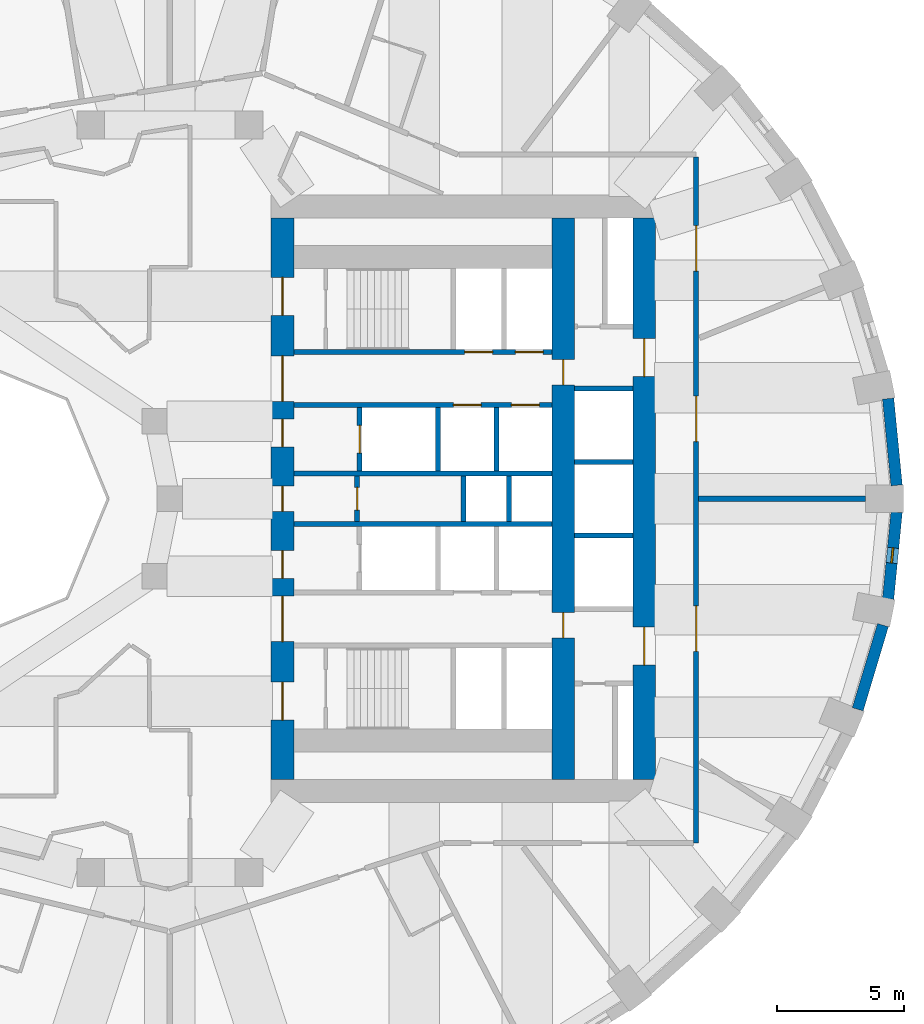
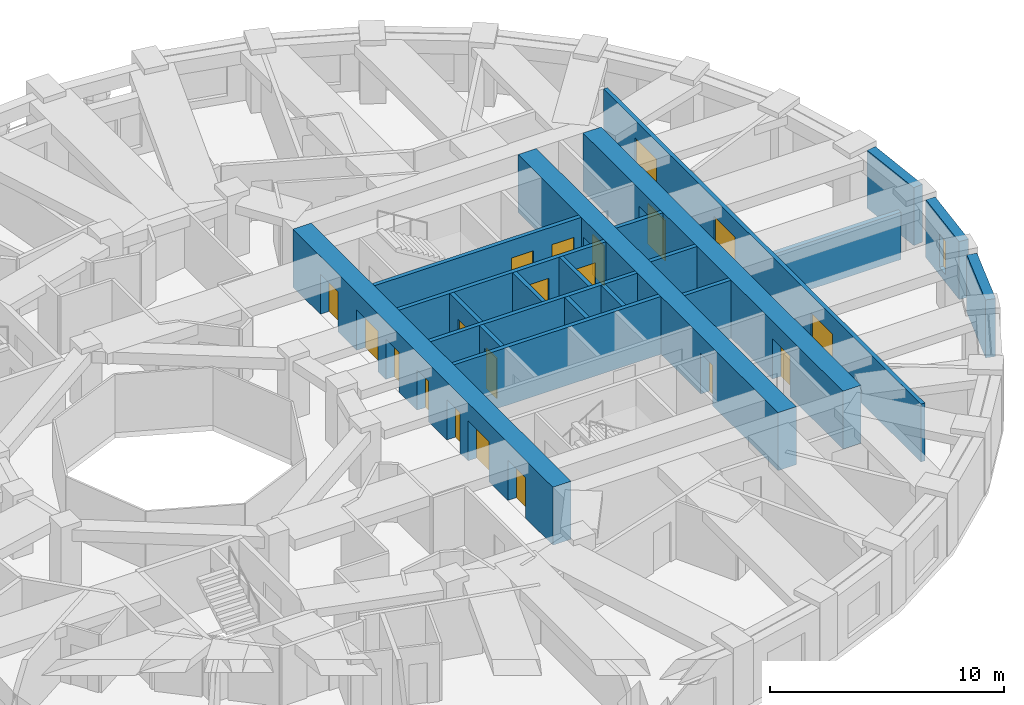
# One storey, part 6 of 13: 21 walls, 20 doors, 1 window, 21 openings.
"""IFC4 building model written with IfcOpenShell, lengths in metres."""

from ifc_helpers import new_model, si_unit, direction, frame, frame_2d, origin, place, context, subcontext, project, spatial, rectangle, extrude, material, layer, layer_set, type_object, element, fill, save


model = new_model("IFC4")

# Units and contexts
model_context = context("Model", 3, precision=1e-05, world=origin(), true_north=direction((0.0, 1.0)))
body_context = subcontext(model_context, "Body", "Model", "MODEL_VIEW")
ifc_project = project(units=[si_unit("LENGTHUNIT", "METRE"), si_unit("AREAUNIT", "SQUARE_METRE"), si_unit("VOLUMEUNIT", "CUBIC_METRE"), si_unit("PLANEANGLEUNIT", "RADIAN"), si_unit("MASSUNIT", "GRAM", prefix="KILO")], contexts=[model_context])

# Site, building, storey
site_placement = place(None, origin())
site = spatial("IfcSite", under=ifc_project, at=site_placement, CompositionType="ELEMENT")
building_placement = place(site_placement, origin())
building = spatial("IfcBuilding", under=site, at=building_placement, Name="Taillehof Tower", CompositionType="ELEMENT")
storey_placement = place(building_placement, frame((0.0, 0.0, 54.699951171875)))
storey = spatial("IfcBuildingStorey", under=building, at=storey_placement, Name="L14", CompositionType="ELEMENT", Elevation=54.699951171875)

# Walls
ifc_material_1 = material(Name="Brick masonry", Category="masonry")
ifc_layer_1 = layer(ifc_material_1, 0.449951171875)
ifc_layer_set_1 = layer_set([ifc_layer_1], Name="Brick infill wall 450")
wall_type_1 = type_object("IfcWallType", Name="Brick infill wall 450", PredefinedType="SOLIDWALL", material=ifc_layer_set_1)
wall_1_placement = place(storey_placement, frame((28.721923828125, 0.530029296875, 0.0), z_axis=(0.0, 0.0, 1.0), x_axis=(-0.097389581596, 0.995246336038, 0.0)))
element("IfcWall", 1, at=wall_1_placement, inside=storey, type_object=wall_type_1, Name="Brick wall L14 bay 1", PredefinedType="SOLIDWALL", context=body_context, shape_type="SweptSolid", body=[
    extrude(rectangle(XDim=3.44189453125, YDim=0.449951171875, at=frame_2d((1.720947265625, 0.0))), origin(), (0.0, 0.0, 1.0), 3.02001953125),
])
wall_2_placement = place(storey_placement, frame((27.184814453125, -8.322998046875, 0.0), z_axis=(0.0, 0.0, 1.0), x_axis=(0.287064133733, 0.957911364963, 0.0)))
element("IfcWall", 2, at=wall_2_placement, inside=storey, type_object=wall_type_1, Name="Brick wall L14 bay 35", PredefinedType="SOLIDWALL", context=body_context, shape_type="SweptSolid", body=[
    extrude(rectangle(XDim=3.473388671875, YDim=0.449951171875, at=frame_2d((1.73681640625, 0.0))), origin(), (0.0, 0.0, 1.0), 3.02001953125),
])

# Wall, opening, window
wall_3_placement = place(storey_placement, frame((28.38671875, -3.95556640625, 0.0), z_axis=(0.0, 0.0, 1.0), x_axis=(0.097389581596, 0.995246336038, 0.0)))
wall_3 = element("IfcWall", 3, at=wall_3_placement, inside=storey, type_object=wall_type_1, Name="Brick wall L14 bay 36", PredefinedType="SOLIDWALL", context=body_context, shape_type="SweptSolid", body=[
    extrude(rectangle(XDim=3.44189453125, YDim=0.449951171875, at=frame_2d((1.720947265625, 0.0))), origin(), (0.0, 0.0, 1.0), 3.02001953125),
])
opening_1_placement = place(wall_3_placement, frame((1.4208984375, 0.0, 0.39990234375)))
opening_1 = element("IfcOpeningElement", 4, at=opening_1_placement, cuts=wall_3, Name="Opening W6", PredefinedType="OPENING", context=body_context, shape_type="SweptSolid", body=[
    extrude(rectangle(XDim=0.60009765625, YDim=1.75, at=frame_2d((0.300048828125, 0.875))), frame((0.0, 0.23486328125, 0.0), z_axis=(0.0, -1.0, 0.0), x_axis=(1.0, 0.0, 0.0)), (0.0, 0.0, 1.0), 0.469970703125),
])
ifc_material_2 = material(Name="Aluminium window frame with clear double glazing", Category="aluminium")
window_type = type_object("IfcWindowType", Name="Slot window 600x1750", PartitioningType="SINGLE_PANEL", PredefinedType="WINDOW", material=ifc_material_2)
window_placement = place(opening_1_placement, origin())
window = element("IfcWindow", 5, at=window_placement, inside=storey, type_object=window_type, Name="W6", OverallHeight=1.75, OverallWidth=0.60009765625, PartitioningType="SINGLE_PANEL", PredefinedType="WINDOW", context=body_context, shape_type="SweptSolid", body=[
    extrude(rectangle(XDim=0.60009765625, YDim=1.75, at=frame_2d((0.300048828125, 0.875))), frame((0.0, 0.034912109375, 0.0), z_axis=(0.0, -1.0, 0.0), x_axis=(1.0, 0.0, 0.0)), (0.0, 0.0, 1.0), 0.06005859375),
])
fill(opening_1, window)

# Wall, opening, door
ifc_material_3 = material(Name="Calcium silicate masonry", Category="masonry")
ifc_layer_2 = layer(ifc_material_3, 0.199951171875)
ifc_layer_set_2 = layer_set([ifc_layer_2], Name="Compartment wall calcium silicate 200")
wall_type_2 = type_object("IfcWallType", Name="Compartment wall calcium silicate 200", PredefinedType="PARTITIONING", material=ifc_layer_set_2)
wall_4_placement = place(storey_placement, frame((7.39990234375, -0.89990234375, 0.0), z_axis=(0.0, 0.0, 1.0), x_axis=(0.0, 1.0, 0.0)))
wall_4 = element("IfcWall", 6, at=wall_4_placement, inside=storey, type_object=wall_type_2, Name="Compartment wall FW", PredefinedType="PARTITIONING", context=body_context, shape_type="SweptSolid", body=[
    extrude(rectangle(XDim=1.7998046875, YDim=0.199951171875, at=frame_2d((0.89990234375, 0.0))), origin(), (0.0, 0.0, 1.0), 3.02001953125),
])
opening_2_placement = place(wall_4_placement, frame((0.449951171875, 0.0, 0.0)))
opening_2 = element("IfcOpeningElement", 7, at=opening_2_placement, cuts=wall_4, Name="Opening D1414", PredefinedType="OPENING", context=body_context, shape_type="SweptSolid", body=[
    extrude(rectangle(XDim=0.89990234375, YDim=2.10009765625, at=frame_2d((0.449951171875, 1.050048828125))), frame((0.0, 0.10986328125, 0.0), z_axis=(0.0, -1.0, 0.0), x_axis=(1.0, 0.0, 0.0)), (0.0, 0.0, 1.0), 0.219970703125),
])
ifc_material_4 = material(Name="Steel-faced fire door", Category="steel")
door_type_1 = type_object("IfcDoorType", Name="Riser and service room door 900x2100", OperationType="SINGLE_SWING_LEFT", PredefinedType="DOOR", material=ifc_material_4)
door_1_placement = place(opening_2_placement, origin())
door_1 = element("IfcDoor", 8, at=door_1_placement, inside=storey, type_object=door_type_1, Name="Door Waste Room", OperationType="SINGLE_SWING_RIGHT", OverallHeight=2.10009765625, OverallWidth=0.89990234375, PredefinedType="DOOR", context=body_context, shape_type="SweptSolid", body=[
    extrude(rectangle(XDim=0.89990234375, YDim=2.10009765625, at=frame_2d((0.449951171875, 1.050048828125))), frame((0.0, 0.02490234375, 0.0), z_axis=(0.0, -1.0, 0.0), x_axis=(1.0, 0.0, 0.0)), (0.0, 0.0, 1.0), 0.050048828125),
])
fill(opening_2, door_1)

# Walls
for number, where, z_axis, x_axis, name in (
    (9, (11.60009765625, -0.89990234375, 0.0), (0.0, 0.0, 1.0), (0.0, 1.0, 0.0), "Compartment wall FW"),
    (10, (13.39990234375, -0.89990234375, 0.0), (0.0, 0.0, 1.0), (0.0, 1.0, 0.0), "Compartment wall FW"),
):
    element("IfcWall", number, at=place(storey_placement, frame(where, z_axis=z_axis, x_axis=x_axis)), inside=storey, type_object=wall_type_2, Name=name, PredefinedType="PARTITIONING", context=body_context, shape_type="SweptSolid", body=[
        extrude(rectangle(XDim=1.7998046875, YDim=0.199951171875, at=frame_2d((0.89990234375, 0.0))), origin(), (0.0, 0.0, 1.0), 3.02001953125),
    ])

# Wall, openings, doors
ifc_material_5 = material(Name="Gypsum board on steel studs, two layers each side", Category="steel")
ifc_layer_3 = layer(ifc_material_5, 0.199951171875)
ifc_layer_set_3 = layer_set([ifc_layer_3], Name="Compartment wall corridor 200")
wall_type_3 = type_object("IfcWallType", Name="Compartment wall corridor 200", PredefinedType="PARTITIONING", material=ifc_layer_set_3)
wall_5_placement = place(storey_placement, frame((20.800048828125, 13.5, 0.0), z_axis=(0.0, 0.0, 1.0), x_axis=(0.0, -1.0, 0.0)))
wall_5 = element("IfcWall", 11, at=wall_5_placement, inside=storey, type_object=wall_type_3, Name="Compartment wall", PredefinedType="PARTITIONING", context=body_context, shape_type="SweptSolid", body=[
    extrude(rectangle(XDim=27.10009765625, YDim=0.199951171875, at=frame_2d((13.550048828125, 0.0))), origin(), (0.0, 0.0, 1.0), 3.02001953125),
])
opening_3_placement = place(wall_5_placement, frame((17.733154296875, 0.0, 0.0)))
opening_3 = element("IfcOpeningElement", 12, at=opening_3_placement, cuts=wall_5, Name="Opening D1465", PredefinedType="OPENING", context=body_context, shape_type="SweptSolid", body=[
    extrude(rectangle(XDim=1.800048828125, YDim=2.10009765625, at=frame_2d((0.89990234375, 1.050048828125))), frame((0.0, 0.10986328125, 0.0), z_axis=(0.0, -1.0, 0.0), x_axis=(1.0, 0.0, 0.0)), (0.0, 0.0, 1.0), 0.219970703125),
])
opening_4_placement = place(wall_5_placement, frame((9.447998046875, 0.0, 0.0)))
opening_4 = element("IfcOpeningElement", 13, at=opening_4_placement, cuts=wall_5, Name="Opening D1466", PredefinedType="OPENING", context=body_context, shape_type="SweptSolid", body=[
    extrude(rectangle(XDim=1.800048828125, YDim=2.10009765625, at=frame_2d((0.89990234375, 1.050048828125))), frame((0.0, 0.10986328125, 0.0), z_axis=(0.0, -1.0, 0.0), x_axis=(1.0, 0.0, 0.0)), (0.0, 0.0, 1.0), 0.219970703125),
])
opening_5_placement = place(wall_5_placement, frame((2.703857421875, 0.0, 0.0)))
opening_5 = element("IfcOpeningElement", 14, at=opening_5_placement, cuts=wall_5, Name="Opening D1467", PredefinedType="OPENING", context=body_context, shape_type="SweptSolid", body=[
    extrude(rectangle(XDim=1.800048828125, YDim=2.10009765625, at=frame_2d((0.89990234375, 1.050048828125))), frame((0.0, 0.10986328125, 0.0), z_axis=(0.0, -1.0, 0.0), x_axis=(1.0, 0.0, 0.0)), (0.0, 0.0, 1.0), 0.219970703125),
])
ifc_material_6 = material(Name="Timber door leaf in steel frame", Category="steel")
door_type_2 = type_object("IfcDoorType", Name="Lounge and meeting room double door EI 30 1800 x 2100", OperationType="SINGLE_SWING_LEFT", PredefinedType="DOOR", material=ifc_material_6)
door_2_placement = place(opening_3_placement, origin())
door_2 = element("IfcDoor", 15, at=door_2_placement, inside=storey, type_object=door_type_2, Name="D1465", OperationType="DOUBLE_DOOR_SINGLE_SWING", OverallHeight=2.10009765625, OverallWidth=1.800048828125, PredefinedType="DOOR", context=body_context, shape_type="SweptSolid", body=[
    extrude(rectangle(XDim=1.800048828125, YDim=2.10009765625, at=frame_2d((0.89990234375, 1.050048828125))), frame((0.0, 0.02490234375, 0.0), z_axis=(0.0, -1.0, 0.0), x_axis=(1.0, 0.0, 0.0)), (0.0, 0.0, 1.0), 0.050048828125),
])
fill(opening_3, door_2)
door_3_placement = place(opening_4_placement, origin())
door_3 = element("IfcDoor", 16, at=door_3_placement, inside=storey, type_object=door_type_2, Name="D1466", OperationType="DOUBLE_DOOR_SINGLE_SWING", OverallHeight=2.10009765625, OverallWidth=1.800048828125, PredefinedType="DOOR", context=body_context, shape_type="SweptSolid", body=[
    extrude(rectangle(XDim=1.800048828125, YDim=2.10009765625, at=frame_2d((0.89990234375, 1.050048828125))), frame((0.0, 0.02490234375, 0.0), z_axis=(0.0, -1.0, 0.0), x_axis=(1.0, 0.0, 0.0)), (0.0, 0.0, 1.0), 0.050048828125),
])
fill(opening_4, door_3)
door_4_placement = place(opening_5_placement, origin())
door_4 = element("IfcDoor", 17, at=door_4_placement, inside=storey, type_object=door_type_2, Name="D1467", OperationType="DOUBLE_DOOR_SINGLE_SWING", OverallHeight=2.10009765625, OverallWidth=1.800048828125, PredefinedType="DOOR", context=body_context, shape_type="SweptSolid", body=[
    extrude(rectangle(XDim=1.800048828125, YDim=2.10009765625, at=frame_2d((0.89990234375, 1.050048828125))), frame((0.0, 0.02490234375, 0.0), z_axis=(0.0, -1.0, 0.0), x_axis=(1.0, 0.0, 0.0)), (0.0, 0.0, 1.0), 0.050048828125),
])
fill(opening_5, door_4)

# Wall
ifc_material_7 = material(Name="Gypsum board on double steel studs with mineral wool", Category="steel")
ifc_layer_4 = layer(ifc_material_7, 0.219970703125)
ifc_layer_set_4 = layer_set([ifc_layer_4], Name="Compartment wall guest room 220")
wall_type_4 = type_object("IfcWallType", Name="Compartment wall guest room 220", PredefinedType="PARTITIONING", material=ifc_layer_set_4)
wall_6_placement = place(storey_placement, frame((27.5, 0.0, 0.0), z_axis=(0.0, 0.0, 1.0), x_axis=(-1.0, 0.0, 0.0)))
element("IfcWall", 18, at=wall_6_placement, inside=storey, type_object=wall_type_4, Name="Compartment wall", PredefinedType="PARTITIONING", context=body_context, shape_type="SweptSolid", body=[
    extrude(rectangle(XDim=6.599853515625, YDim=0.219970703125, at=frame_2d((3.2998046875, 0.0))), origin(), (0.0, 0.0, 1.0), 2.469970703125),
])

# Wall, openings, doors
ifc_material_8 = material(Name="Concrete C80/95", Category="concrete")
ifc_layer_5 = layer(ifc_material_8, 0.89990234375)
ifc_layer_set_5 = layer_set([ifc_layer_5], Name="Core wall C80/95 900")
wall_type_5 = type_object("IfcWallType", Name="Core wall C80/95 900", PredefinedType="SHEAR", material=ifc_layer_set_5)
wall_7_placement = place(storey_placement, frame((4.449951171875, -11.10009765625, 0.0), z_axis=(0.0, 0.0, 1.0), x_axis=(0.0, 1.0, 0.0)))
wall_7 = element("IfcWall", 19, at=wall_7_placement, inside=storey, type_object=wall_type_5, Name="Core wall CW01", PredefinedType="SHEAR", context=body_context, shape_type="SweptSolid", body=[
    extrude(rectangle(XDim=22.2001953125, YDim=0.89990234375, at=frame_2d((11.10009765625, 0.0))), origin(), (0.0, 0.0, 1.0), 3.02001953125),
])
opening_6_placement = place(wall_7_placement, frame((2.35009765625, 0.0, 0.0)))
opening_6 = element("IfcOpeningElement", 20, at=opening_6_placement, cuts=wall_7, Name="Opening D1401", PredefinedType="OPENING", context=body_context, shape_type="SweptSolid", body=[
    extrude(rectangle(XDim=1.5, YDim=2.10009765625, at=frame_2d((0.75, 1.050048828125))), frame((0.0, 0.4599609375, 0.0), z_axis=(0.0, -1.0, 0.0), x_axis=(1.0, 0.0, 0.0)), (0.0, 0.0, 1.0), 0.919921875),
])
opening_7_placement = place(wall_7_placement, frame((5.449951171875, 0.0, 0.0)))
opening_7 = element("IfcOpeningElement", 21, at=opening_7_placement, cuts=wall_7, Name="Opening D1402", PredefinedType="OPENING", context=body_context, shape_type="SweptSolid", body=[
    extrude(rectangle(XDim=1.800048828125, YDim=2.10009765625, at=frame_2d((0.89990234375, 1.050048828125))), frame((0.0, 0.4599609375, 0.0), z_axis=(0.0, -1.0, 0.0), x_axis=(1.0, 0.0, 0.0)), (0.0, 0.0, 1.0), 0.919921875),
])
opening_8_placement = place(wall_7_placement, frame((7.949951171875, 0.0, 0.0)))
opening_8 = element("IfcOpeningElement", 22, at=opening_8_placement, cuts=wall_7, Name="Opening D1403", PredefinedType="OPENING", context=body_context, shape_type="SweptSolid", body=[
    extrude(rectangle(XDim=1.10009765625, YDim=2.10009765625, at=frame_2d((0.550048828125, 1.050048828125))), frame((0.0, 0.4599609375, 0.0), z_axis=(0.0, -1.0, 0.0), x_axis=(1.0, 0.0, 0.0)), (0.0, 0.0, 1.0), 0.919921875),
])
opening_9_placement = place(wall_7_placement, frame((10.60009765625, 0.0, 0.0)))
opening_9 = element("IfcOpeningElement", 23, at=opening_9_placement, cuts=wall_7, Name="Opening D1404", PredefinedType="OPENING", context=body_context, shape_type="SweptSolid", body=[
    extrude(rectangle(XDim=1.0, YDim=2.10009765625, at=frame_2d((0.5, 1.050048828125))), frame((0.0, 0.4599609375, 0.0), z_axis=(0.0, -1.0, 0.0), x_axis=(1.0, 0.0, 0.0)), (0.0, 0.0, 1.0), 0.919921875),
])
opening_10_placement = place(wall_7_placement, frame((13.14990234375, 0.0, 0.0)))
opening_10 = element("IfcOpeningElement", 24, at=opening_10_placement, cuts=wall_7, Name="Opening D1405", PredefinedType="OPENING", context=body_context, shape_type="SweptSolid", body=[
    extrude(rectangle(XDim=1.10009765625, YDim=2.10009765625, at=frame_2d((0.550048828125, 1.050048828125))), frame((0.0, 0.4599609375, 0.0), z_axis=(0.0, -1.0, 0.0), x_axis=(1.0, 0.0, 0.0)), (0.0, 0.0, 1.0), 0.919921875),
])
opening_11_placement = place(wall_7_placement, frame((14.949951171875, 0.0, 0.0)))
opening_11 = element("IfcOpeningElement", 25, at=opening_11_placement, cuts=wall_7, Name="Opening D1406", PredefinedType="OPENING", context=body_context, shape_type="SweptSolid", body=[
    extrude(rectangle(XDim=1.800048828125, YDim=2.10009765625, at=frame_2d((0.89990234375, 1.050048828125))), frame((0.0, 0.4599609375, 0.0), z_axis=(0.0, -1.0, 0.0), x_axis=(1.0, 0.0, 0.0)), (0.0, 0.0, 1.0), 0.919921875),
])
opening_12_placement = place(wall_7_placement, frame((18.35009765625, 0.0, 0.0)))
opening_12 = element("IfcOpeningElement", 26, at=opening_12_placement, cuts=wall_7, Name="Opening D1407", PredefinedType="OPENING", context=body_context, shape_type="SweptSolid", body=[
    extrude(rectangle(XDim=1.5, YDim=2.10009765625, at=frame_2d((0.75, 1.050048828125))), frame((0.0, 0.4599609375, 0.0), z_axis=(0.0, -1.0, 0.0), x_axis=(1.0, 0.0, 0.0)), (0.0, 0.0, 1.0), 0.919921875),
])
ifc_material_9 = material(Name="Steel-faced fire door", Category="steel")
door_type_3 = type_object("IfcDoorType", Name="Firefighting lobby door 1100x2100", OperationType="SINGLE_SWING_RIGHT", PredefinedType="DOOR", material=ifc_material_9)
door_5_placement = place(opening_8_placement, origin())
door_5 = element("IfcDoor", 27, at=door_5_placement, inside=storey, type_object=door_type_3, Name="Firefighting lobby door FFL-S", OperationType="SINGLE_SWING_RIGHT", OverallHeight=2.10009765625, OverallWidth=1.10009765625, PredefinedType="DOOR", context=body_context, shape_type="SweptSolid", body=[
    extrude(rectangle(XDim=1.10009765625, YDim=2.10009765625, at=frame_2d((0.550048828125, 1.050048828125))), frame((0.0, 0.02490234375, 0.0), z_axis=(0.0, -1.0, 0.0), x_axis=(1.0, 0.0, 0.0)), (0.0, 0.0, 1.0), 0.050048828125),
])
fill(opening_8, door_5)
door_6_placement = place(opening_10_placement, origin())
door_6 = element("IfcDoor", 28, at=door_6_placement, inside=storey, type_object=door_type_3, Name="Firefighting lobby door FFL-N", OperationType="SINGLE_SWING_LEFT", OverallHeight=2.10009765625, OverallWidth=1.10009765625, PredefinedType="DOOR", context=body_context, shape_type="SweptSolid", body=[
    extrude(rectangle(XDim=1.10009765625, YDim=2.10009765625, at=frame_2d((0.550048828125, 1.050048828125))), frame((0.0, 0.02490234375, 0.0), z_axis=(0.0, -1.0, 0.0), x_axis=(1.0, 0.0, 0.0)), (0.0, 0.0, 1.0), 0.050048828125),
])
fill(opening_10, door_6)
ifc_material_10 = material(Name="Steel-faced fire door", Category="steel")
door_type_4 = type_object("IfcDoorType", Name="Lift lobby door 1800x2100", OperationType="DOUBLE_DOOR_SINGLE_SWING", PredefinedType="DOOR", material=ifc_material_10)
door_7_placement = place(opening_7_placement, origin())
door_7 = element("IfcDoor", 29, at=door_7_placement, inside=storey, type_object=door_type_4, Name="Lift lobby door LL-S", OperationType="DOUBLE_DOOR_SINGLE_SWING", OverallHeight=2.10009765625, OverallWidth=1.800048828125, PredefinedType="DOOR", context=body_context, shape_type="SweptSolid", body=[
    extrude(rectangle(XDim=1.800048828125, YDim=2.10009765625, at=frame_2d((0.89990234375, 1.050048828125))), frame((0.0, 0.02490234375, 0.0), z_axis=(0.0, -1.0, 0.0), x_axis=(1.0, 0.0, 0.0)), (0.0, 0.0, 1.0), 0.050048828125),
])
fill(opening_7, door_7)
door_8_placement = place(opening_11_placement, origin())
door_8 = element("IfcDoor", 30, at=door_8_placement, inside=storey, type_object=door_type_4, Name="Lift lobby door LL-N", OperationType="DOUBLE_DOOR_SINGLE_SWING", OverallHeight=2.10009765625, OverallWidth=1.800048828125, PredefinedType="DOOR", context=body_context, shape_type="SweptSolid", body=[
    extrude(rectangle(XDim=1.800048828125, YDim=2.10009765625, at=frame_2d((0.89990234375, 1.050048828125))), frame((0.0, 0.02490234375, 0.0), z_axis=(0.0, -1.0, 0.0), x_axis=(1.0, 0.0, 0.0)), (0.0, 0.0, 1.0), 0.050048828125),
])
fill(opening_11, door_8)
ifc_material_11 = material(Name="Steel-faced fire door", Category="steel")
door_type_5 = type_object("IfcDoorType", Name="Service door 1000x2100", OperationType="SINGLE_SWING_RIGHT", PredefinedType="DOOR", material=ifc_material_11)
door_9_placement = place(opening_9_placement, origin())
door_9 = element("IfcDoor", 31, at=door_9_placement, inside=storey, type_object=door_type_5, Name="Service door SV", OperationType="SINGLE_SWING_RIGHT", OverallHeight=2.10009765625, OverallWidth=1.0, PredefinedType="DOOR", context=body_context, shape_type="SweptSolid", body=[
    extrude(rectangle(XDim=1.0, YDim=2.10009765625, at=frame_2d((0.5, 1.050048828125))), frame((0.0, 0.02490234375, 0.0), z_axis=(0.0, -1.0, 0.0), x_axis=(1.0, 0.0, 0.0)), (0.0, 0.0, 1.0), 0.050048828125),
])
fill(opening_9, door_9)
ifc_material_12 = material(Name="Steel-faced fire door", Category="steel")
door_type_6 = type_object("IfcDoorType", Name="Stair door 1500x2100", OperationType="DOUBLE_DOOR_SINGLE_SWING", PredefinedType="DOOR", material=ifc_material_12)
door_10_placement = place(opening_6_placement, origin())
door_10 = element("IfcDoor", 32, at=door_10_placement, inside=storey, type_object=door_type_6, Name="Stair door S2", OperationType="DOUBLE_DOOR_SINGLE_SWING", OverallHeight=2.10009765625, OverallWidth=1.5, PredefinedType="DOOR", context=body_context, shape_type="SweptSolid", body=[
    extrude(rectangle(XDim=1.5, YDim=2.10009765625, at=frame_2d((0.75, 1.050048828125))), frame((0.0, 0.02490234375, 0.0), z_axis=(0.0, -1.0, 0.0), x_axis=(1.0, 0.0, 0.0)), (0.0, 0.0, 1.0), 0.050048828125),
])
fill(opening_6, door_10)
door_11_placement = place(opening_12_placement, origin())
door_11 = element("IfcDoor", 33, at=door_11_placement, inside=storey, type_object=door_type_6, Name="Stair door S1", OperationType="DOUBLE_DOOR_SINGLE_SWING", OverallHeight=2.10009765625, OverallWidth=1.5, PredefinedType="DOOR", context=body_context, shape_type="SweptSolid", body=[
    extrude(rectangle(XDim=1.5, YDim=2.10009765625, at=frame_2d((0.75, 1.050048828125))), frame((0.0, 0.02490234375, 0.0), z_axis=(0.0, -1.0, 0.0), x_axis=(1.0, 0.0, 0.0)), (0.0, 0.0, 1.0), 0.050048828125),
])
fill(opening_12, door_11)

wall_8_placement = place(storey_placement, frame((18.75, -11.10009765625, 0.0), z_axis=(0.0, 0.0, 1.0), x_axis=(0.0, 1.0, 0.0)))
wall_8 = element("IfcWall", 34, at=wall_8_placement, inside=storey, type_object=wall_type_5, Name="Core wall CW02", PredefinedType="SHEAR", context=body_context, shape_type="SweptSolid", body=[
    extrude(rectangle(XDim=22.2001953125, YDim=0.89990234375, at=frame_2d((11.10009765625, 0.0))), origin(), (0.0, 0.0, 1.0), 3.02001953125),
])
opening_13_placement = place(wall_8_placement, frame((15.925048828125, 0.0, 0.0)))
opening_13 = element("IfcOpeningElement", 35, at=opening_13_placement, cuts=wall_8, Name="Opening D1408", PredefinedType="OPENING", context=body_context, shape_type="SweptSolid", body=[
    extrude(rectangle(XDim=1.5, YDim=2.10009765625, at=frame_2d((0.75, 1.050048828125))), frame((0.0, 0.4599609375, 0.0), z_axis=(0.0, -1.0, 0.0), x_axis=(1.0, 0.0, 0.0)), (0.0, 0.0, 1.0), 0.919921875),
])
opening_14_placement = place(wall_8_placement, frame((4.52490234375, 0.0, 0.0)))
opening_14 = element("IfcOpeningElement", 36, at=opening_14_placement, cuts=wall_8, Name="Opening D1409", PredefinedType="OPENING", context=body_context, shape_type="SweptSolid", body=[
    extrude(rectangle(XDim=1.5, YDim=2.10009765625, at=frame_2d((0.75, 1.050048828125))), frame((0.0, 0.4599609375, 0.0), z_axis=(0.0, -1.0, 0.0), x_axis=(1.0, 0.0, 0.0)), (0.0, 0.0, 1.0), 0.919921875),
])
ifc_material_13 = material(Name="Steel-faced fire door", Category="steel")
door_type_7 = type_object("IfcDoorType", Name="Lift lobby east door 1500x2100", OperationType="DOUBLE_DOOR_SINGLE_SWING", PredefinedType="DOOR", material=ifc_material_13)
door_12_placement = place(opening_13_placement, origin())
door_12 = element("IfcDoor", 37, at=door_12_placement, inside=storey, type_object=door_type_7, Name="Lift lobby east door north", OperationType="DOUBLE_DOOR_SINGLE_SWING", OverallHeight=2.10009765625, OverallWidth=1.5, PredefinedType="DOOR", context=body_context, shape_type="SweptSolid", body=[
    extrude(rectangle(XDim=1.5, YDim=2.10009765625, at=frame_2d((0.75, 1.050048828125))), frame((0.0, 0.02490234375, 0.0), z_axis=(0.0, -1.0, 0.0), x_axis=(1.0, 0.0, 0.0)), (0.0, 0.0, 1.0), 0.050048828125),
])
fill(opening_13, door_12)
door_13_placement = place(opening_14_placement, origin())
door_13 = element("IfcDoor", 38, at=door_13_placement, inside=storey, type_object=door_type_7, Name="Lift lobby east door south", OperationType="DOUBLE_DOOR_SINGLE_SWING", OverallHeight=2.10009765625, OverallWidth=1.5, PredefinedType="DOOR", context=body_context, shape_type="SweptSolid", body=[
    extrude(rectangle(XDim=1.5, YDim=2.10009765625, at=frame_2d((0.75, 1.050048828125))), frame((0.0, 0.02490234375, 0.0), z_axis=(0.0, -1.0, 0.0), x_axis=(1.0, 0.0, 0.0)), (0.0, 0.0, 1.0), 0.050048828125),
])
fill(opening_14, door_13)

wall_9_placement = place(storey_placement, frame((15.550048828125, -11.10009765625, 0.0), z_axis=(0.0, 0.0, 1.0), x_axis=(0.0, 1.0, 0.0)))
wall_9 = element("IfcWall", 39, at=wall_9_placement, inside=storey, type_object=wall_type_5, Name="Core wall CW05", PredefinedType="SHEAR", context=body_context, shape_type="SweptSolid", body=[
    extrude(rectangle(XDim=22.2001953125, YDim=0.89990234375, at=frame_2d((11.10009765625, 0.0))), origin(), (0.0, 0.0, 1.0), 3.02001953125),
])
opening_15_placement = place(wall_9_placement, frame((15.60009765625, 0.0, 0.0)))
opening_15 = element("IfcOpeningElement", 40, at=opening_15_placement, cuts=wall_9, Name="Opening D1415", PredefinedType="OPENING", context=body_context, shape_type="SweptSolid", body=[
    extrude(rectangle(XDim=1.0, YDim=2.10009765625, at=frame_2d((0.5, 1.050048828125))), frame((0.0, 0.4599609375, 0.0), z_axis=(0.0, -1.0, 0.0), x_axis=(1.0, 0.0, 0.0)), (0.0, 0.0, 1.0), 0.919921875),
])
opening_16_placement = place(wall_9_placement, frame((5.60009765625, 0.0, 0.0)))
opening_16 = element("IfcOpeningElement", 41, at=opening_16_placement, cuts=wall_9, Name="Opening D1417", PredefinedType="OPENING", context=body_context, shape_type="SweptSolid", body=[
    extrude(rectangle(XDim=1.0, YDim=2.10009765625, at=frame_2d((0.5, 1.050048828125))), frame((0.0, 0.4599609375, 0.0), z_axis=(0.0, -1.0, 0.0), x_axis=(1.0, 0.0, 0.0)), (0.0, 0.0, 1.0), 0.919921875),
])
door_14_placement = place(opening_15_placement, origin())
door_14 = element("IfcDoor", 42, at=door_14_placement, inside=storey, type_object=door_type_5, Name="Service door strip", OperationType="SINGLE_SWING_RIGHT", OverallHeight=2.10009765625, OverallWidth=1.0, PredefinedType="DOOR", context=body_context, shape_type="SweptSolid", body=[
    extrude(rectangle(XDim=1.0, YDim=2.10009765625, at=frame_2d((0.5, 1.050048828125))), frame((0.0, 0.02490234375, 0.0), z_axis=(0.0, -1.0, 0.0), x_axis=(1.0, 0.0, 0.0)), (0.0, 0.0, 1.0), 0.050048828125),
])
fill(opening_15, door_14)
door_15_placement = place(opening_16_placement, origin())
door_15 = element("IfcDoor", 43, at=door_15_placement, inside=storey, type_object=door_type_5, Name="Service door strip", OperationType="SINGLE_SWING_LEFT", OverallHeight=2.10009765625, OverallWidth=1.0, PredefinedType="DOOR", context=body_context, shape_type="SweptSolid", body=[
    extrude(rectangle(XDim=1.0, YDim=2.10009765625, at=frame_2d((0.5, 1.050048828125))), frame((0.0, 0.02490234375, 0.0), z_axis=(0.0, -1.0, 0.0), x_axis=(1.0, 0.0, 0.0)), (0.0, 0.0, 1.0), 0.050048828125),
])
fill(opening_16, door_15)

ifc_material_14 = material(Name="Concrete C50/60", Category="concrete")
ifc_layer_6 = layer(ifc_material_14, 0.199951171875)
ifc_layer_set_6 = layer_set([ifc_layer_6], Name="Shaft wall C50/60 200")
wall_type_6 = type_object("IfcWallType", Name="Shaft wall C50/60 200", PredefinedType="SHEAR", material=ifc_layer_set_6)
wall_10_placement = place(storey_placement, frame((4.89990234375, 5.800048828125, 0.0), z_axis=(0.0, 0.0, 1.0), x_axis=(1.0, 0.0, 0.0)))
wall_10 = element("IfcWall", 44, at=wall_10_placement, inside=storey, type_object=wall_type_6, Name="Shaft wall SW", PredefinedType="SHEAR", context=body_context, shape_type="SweptSolid", body=[
    extrude(rectangle(XDim=10.2001953125, YDim=0.199951171875, at=frame_2d((5.10009765625, 0.0))), origin(), (0.0, 0.0, 1.0), 3.02001953125),
])
opening_17_placement = place(wall_10_placement, frame((6.75, 0.0, 0.0)))
opening_17 = element("IfcOpeningElement", 45, at=opening_17_placement, cuts=wall_10, Name="Opening LD1", PredefinedType="OPENING", context=body_context, shape_type="SweptSolid", body=[
    extrude(rectangle(XDim=1.10009765625, YDim=2.10009765625, at=frame_2d((0.550048828125, 1.050048828125))), frame((0.0, 0.10986328125, 0.0), z_axis=(0.0, -1.0, 0.0), x_axis=(1.0, 0.0, 0.0)), (0.0, 0.0, 1.0), 0.219970703125),
])
opening_18_placement = place(wall_10_placement, frame((8.75, 0.0, 0.0)))
opening_18 = element("IfcOpeningElement", 46, at=opening_18_placement, cuts=wall_10, Name="Opening LD1", PredefinedType="OPENING", context=body_context, shape_type="SweptSolid", body=[
    extrude(rectangle(XDim=1.10009765625, YDim=2.10009765625, at=frame_2d((0.550048828125, 1.050048828125))), frame((0.0, 0.10986328125, 0.0), z_axis=(0.0, -1.0, 0.0), x_axis=(1.0, 0.0, 0.0)), (0.0, 0.0, 1.0), 0.219970703125),
])
ifc_material_15 = material(Name="Stainless steel", Category="steel")
door_type_8 = type_object("IfcDoorType", Name="Lift landing door LD1 1100x2100", OperationType="DOUBLE_DOOR_SLIDING", PredefinedType="DOOR", material=ifc_material_15)
door_16_placement = place(opening_17_placement, origin())
door_16 = element("IfcDoor", 47, at=door_16_placement, inside=storey, type_object=door_type_8, Name="Landing door LR1", OperationType="DOUBLE_DOOR_SLIDING", OverallHeight=2.10009765625, OverallWidth=1.10009765625, PredefinedType="DOOR", context=body_context, shape_type="SweptSolid", body=[
    extrude(rectangle(XDim=1.10009765625, YDim=2.10009765625, at=frame_2d((0.550048828125, 1.050048828125))), frame((0.0, 0.02490234375, 0.0), z_axis=(0.0, -1.0, 0.0), x_axis=(1.0, 0.0, 0.0)), (0.0, 0.0, 1.0), 0.050048828125),
])
fill(opening_17, door_16)
door_17_placement = place(opening_18_placement, origin())
door_17 = element("IfcDoor", 48, at=door_17_placement, inside=storey, type_object=door_type_8, Name="Landing door LR2", OperationType="DOUBLE_DOOR_SLIDING", OverallHeight=2.10009765625, OverallWidth=1.10009765625, PredefinedType="DOOR", context=body_context, shape_type="SweptSolid", body=[
    extrude(rectangle(XDim=1.10009765625, YDim=2.10009765625, at=frame_2d((0.550048828125, 1.050048828125))), frame((0.0, 0.02490234375, 0.0), z_axis=(0.0, -1.0, 0.0), x_axis=(1.0, 0.0, 0.0)), (0.0, 0.0, 1.0), 0.050048828125),
])
fill(opening_18, door_17)

wall_11_placement = place(storey_placement, frame((4.89990234375, 3.699951171875, 0.0), z_axis=(0.0, 0.0, 1.0), x_axis=(1.0, 0.0, 0.0)))
wall_11 = element("IfcWall", 49, at=wall_11_placement, inside=storey, type_object=wall_type_6, Name="Shaft wall SW", PredefinedType="SHEAR", context=body_context, shape_type="SweptSolid", body=[
    extrude(rectangle(XDim=10.2001953125, YDim=0.199951171875, at=frame_2d((5.10009765625, 0.0))), origin(), (0.0, 0.0, 1.0), 3.02001953125),
])
opening_19_placement = place(wall_11_placement, frame((6.300048828125, 0.0, 0.0)))
opening_19 = element("IfcOpeningElement", 50, at=opening_19_placement, cuts=wall_11, Name="Opening LD1", PredefinedType="OPENING", context=body_context, shape_type="SweptSolid", body=[
    extrude(rectangle(XDim=1.10009765625, YDim=2.10009765625, at=frame_2d((0.550048828125, 1.050048828125))), frame((0.0, 0.10986328125, 0.0), z_axis=(0.0, -1.0, 0.0), x_axis=(1.0, 0.0, 0.0)), (0.0, 0.0, 1.0), 0.219970703125),
])
opening_20_placement = place(wall_11_placement, frame((8.60009765625, 0.0, 0.0)))
opening_20 = element("IfcOpeningElement", 51, at=opening_20_placement, cuts=wall_11, Name="Opening LD1", PredefinedType="OPENING", context=body_context, shape_type="SweptSolid", body=[
    extrude(rectangle(XDim=1.10009765625, YDim=2.10009765625, at=frame_2d((0.550048828125, 1.050048828125))), frame((0.0, 0.10986328125, 0.0), z_axis=(0.0, -1.0, 0.0), x_axis=(1.0, 0.0, 0.0)), (0.0, 0.0, 1.0), 0.219970703125),
])
door_18_placement = place(opening_19_placement, origin())
door_18 = element("IfcDoor", 52, at=door_18_placement, inside=storey, type_object=door_type_8, Name="Landing door LR3", OperationType="DOUBLE_DOOR_SLIDING", OverallHeight=2.10009765625, OverallWidth=1.10009765625, PredefinedType="DOOR", context=body_context, shape_type="SweptSolid", body=[
    extrude(rectangle(XDim=1.10009765625, YDim=2.10009765625, at=frame_2d((0.550048828125, 1.050048828125))), frame((0.0, 0.02490234375, 0.0), z_axis=(0.0, -1.0, 0.0), x_axis=(1.0, 0.0, 0.0)), (0.0, 0.0, 1.0), 0.050048828125),
])
fill(opening_19, door_18)
door_19_placement = place(opening_20_placement, origin())
door_19 = element("IfcDoor", 53, at=door_19_placement, inside=storey, type_object=door_type_8, Name="Landing door LR4", OperationType="DOUBLE_DOOR_SLIDING", OverallHeight=2.10009765625, OverallWidth=1.10009765625, PredefinedType="DOOR", context=body_context, shape_type="SweptSolid", body=[
    extrude(rectangle(XDim=1.10009765625, YDim=2.10009765625, at=frame_2d((0.550048828125, 1.050048828125))), frame((0.0, 0.02490234375, 0.0), z_axis=(0.0, -1.0, 0.0), x_axis=(1.0, 0.0, 0.0)), (0.0, 0.0, 1.0), 0.050048828125),
])
fill(opening_20, door_19)

# Walls
for number, where, z_axis, x_axis, name in (
    (54, (4.89990234375, 1.0, 0.0), (0.0, 0.0, 1.0), (1.0, 0.0, 0.0), "Shaft wall SW"),
    (55, (4.89990234375, -1.0, 0.0), (0.0, 0.0, 1.0), (1.0, 0.0, 0.0), "Shaft wall SW"),
):
    element("IfcWall", number, at=place(storey_placement, frame(where, z_axis=z_axis, x_axis=x_axis)), inside=storey, type_object=wall_type_6, Name=name, PredefinedType="SHEAR", context=body_context, shape_type="SweptSolid", body=[
        extrude(rectangle(XDim=10.2001953125, YDim=0.199951171875, at=frame_2d((5.10009765625, 0.0))), origin(), (0.0, 0.0, 1.0), 3.02001953125),
    ])

# Wall, opening, door
wall_12_placement = place(storey_placement, frame((7.5, 1.10009765625, 0.0), z_axis=(0.0, 0.0, 1.0), x_axis=(0.0, 1.0, 0.0)))
wall_12 = element("IfcWall", 56, at=wall_12_placement, inside=storey, type_object=wall_type_6, Name="Shaft wall SW", PredefinedType="SHEAR", context=body_context, shape_type="SweptSolid", body=[
    extrude(rectangle(XDim=2.5, YDim=0.199951171875, at=frame_2d((1.25, 0.0))), origin(), (0.0, 0.0, 1.0), 3.02001953125),
])
opening_21_placement = place(wall_12_placement, frame((0.699951171875, 0.0, 0.0)))
opening_21 = element("IfcOpeningElement", 57, at=opening_21_placement, cuts=wall_12, Name="Opening LD1", PredefinedType="OPENING", context=body_context, shape_type="SweptSolid", body=[
    extrude(rectangle(XDim=1.10009765625, YDim=2.10009765625, at=frame_2d((0.550048828125, 1.050048828125))), frame((0.0, 0.10986328125, 0.0), z_axis=(0.0, -1.0, 0.0), x_axis=(1.0, 0.0, 0.0)), (0.0, 0.0, 1.0), 0.219970703125),
])
door_20_placement = place(opening_21_placement, origin())
door_20 = element("IfcDoor", 58, at=door_20_placement, inside=storey, type_object=door_type_8, Name="Landing door FF1", OperationType="DOUBLE_DOOR_SLIDING", OverallHeight=2.10009765625, OverallWidth=1.10009765625, PredefinedType="DOOR", context=body_context, shape_type="SweptSolid", body=[
    extrude(rectangle(XDim=1.10009765625, YDim=2.10009765625, at=frame_2d((0.550048828125, 1.050048828125))), frame((0.0, 0.02490234375, 0.0), z_axis=(0.0, -1.0, 0.0), x_axis=(1.0, 0.0, 0.0)), (0.0, 0.0, 1.0), 0.050048828125),
])
fill(opening_21, door_20)

# Walls
for number, where, z_axis, x_axis, name in (
    (59, (10.60009765625, 1.10009765625, 0.0), (0.0, 0.0, 1.0), (0.0, 1.0, 0.0), "Shaft wall SW"),
    (60, (12.89990234375, 1.10009765625, 0.0), (0.0, 0.0, 1.0), (0.0, 1.0, 0.0), "Shaft wall SW"),
):
    element("IfcWall", number, at=place(storey_placement, frame(where, z_axis=z_axis, x_axis=x_axis)), inside=storey, type_object=wall_type_6, Name=name, PredefinedType="SHEAR", context=body_context, shape_type="SweptSolid", body=[
        extrude(rectangle(XDim=2.5, YDim=0.199951171875, at=frame_2d((1.25, 0.0))), origin(), (0.0, 0.0, 1.0), 3.02001953125),
    ])
for number, where, z_axis, x_axis, name in (
    (61, (16.0, -1.449951171875, 0.0), (0.0, 0.0, 1.0), (1.0, 0.0, 0.0), "Shaft wall SW"),
    (62, (16.0, 1.449951171875, 0.0), (0.0, 0.0, 1.0), (1.0, 0.0, 0.0), "Shaft wall SW"),
    (63, (16.0, 4.35009765625, 0.0), (0.0, 0.0, 1.0), (1.0, 0.0, 0.0), "Shaft wall SW"),
):
    element("IfcWall", number, at=place(storey_placement, frame(where, z_axis=z_axis, x_axis=x_axis)), inside=storey, type_object=wall_type_6, Name=name, PredefinedType="SHEAR", context=body_context, shape_type="SweptSolid", body=[
        extrude(rectangle(XDim=2.300048828125, YDim=0.199951171875, at=frame_2d((1.14990234375, 0.0))), origin(), (0.0, 0.0, 1.0), 3.02001953125),
    ])

save(model, "model.ifc")
